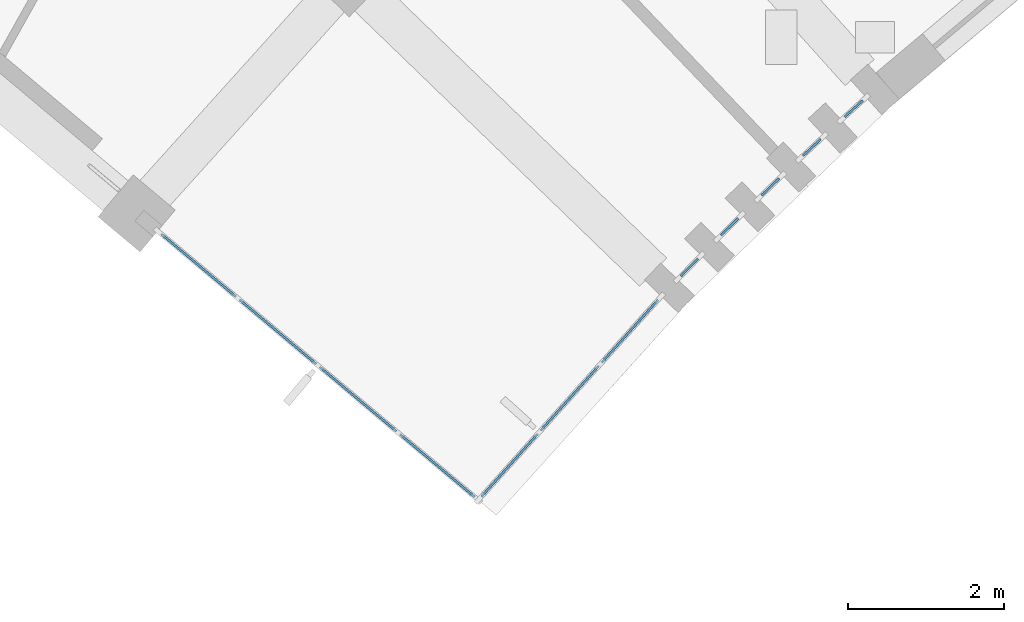
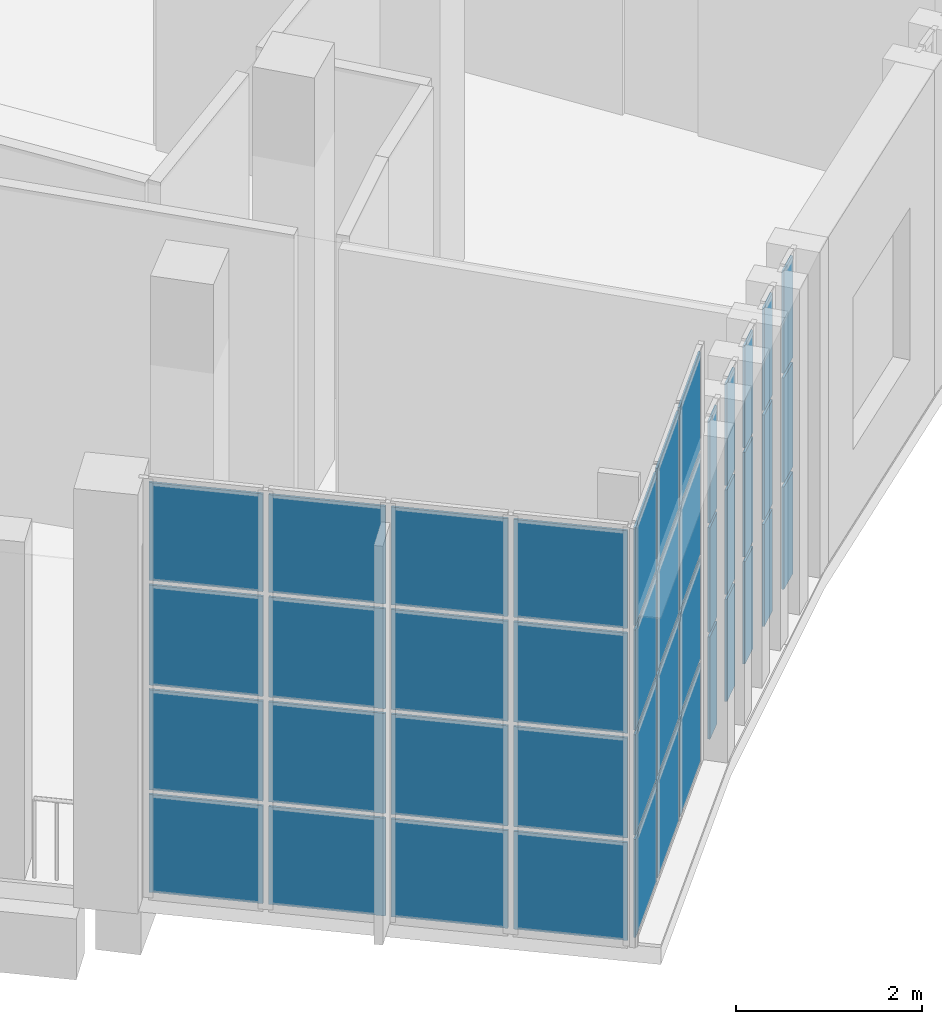
# One storey, part 38 of 112: 43 plates, 7 elements without a shape of their own.
"""IFC4 building model written with IfcOpenShell, lengths in metres."""

from ifc_helpers import new_model, si_unit, direction, frame, origin, origin_2d, place, context, subcontext, project, spatial, rectangle, extrude, material, layer, layer_set, type_object, element, aggregate, save


model = new_model("IFC4")

# Units and contexts
model_context = context("Model", 3, precision=1e-05, world=origin(), true_north=direction((0.0, 1.0)))
body_context = subcontext(model_context, "Body", "Model", "MODEL_VIEW")
ifc_project = project(units=[si_unit("LENGTHUNIT", "METRE"), si_unit("AREAUNIT", "SQUARE_METRE"), si_unit("VOLUMEUNIT", "CUBIC_METRE"), si_unit("PLANEANGLEUNIT", "RADIAN"), si_unit("MASSUNIT", "GRAM", prefix="KILO")], contexts=[model_context])

# Site, building, storey
site_placement = place(None, origin())
site = spatial("IfcSite", under=ifc_project, at=site_placement, CompositionType="ELEMENT")
building_placement = place(site_placement, origin())
building = spatial("IfcBuilding", under=site, at=building_placement, Name="Lunette Opera House", CompositionType="ELEMENT")
storey_placement = place(building_placement, frame((0.0, 0.0, 6.0)))
storey = spatial("IfcBuildingStorey", under=building, at=storey_placement, Name="L01", CompositionType="ELEMENT", Elevation=6.0)

# Curtain wall, plates
ifc_material_1 = material(Name="Aluminium", Category="aluminium")
ifc_layer_1 = layer(ifc_material_1, 0.1201171875)
ifc_layer_set_1 = layer_set([ifc_layer_1], Name="Aluminium")
curtain_wall_type_1 = type_object("IfcCurtainWallType", Name="SLOT CURTAIN WALL", PredefinedType="NOTDEFINED", material=ifc_layer_set_1)
curtain_wall_1_placement = place(storey_placement, origin())
curtain_wall_1 = element("IfcCurtainWall", 1, at=curtain_wall_1_placement, inside=storey, type_object=curtain_wall_type_1, Name="Slot Curtain Wall CS001 L01", PredefinedType="NOTDEFINED")
ifc_material_2 = material(Name="Laminated glass", Category="glass")
ifc_layer_2 = layer(ifc_material_2, 0.028076171875)
ifc_layer_set_2 = layer_set([ifc_layer_2], Name="Laminated glass")
plate_type = type_object("IfcPlateType", Name="CURTAIN PANEL LAMINATED GLASS 28", PredefinedType="CURTAIN_PANEL", material=ifc_layer_set_2)
plate_1_placement = place(storey_placement, frame((58.633544921875, 36.592041015625, 0.06005859375), z_axis=(0.0, 0.0, 1.0), x_axis=(0.698932947796, 0.715187202406, 0.0)))
plate_1 = element("IfcPlate", 2, at=plate_1_placement, type_object=plate_type, Name="FC-X2002 panel 1.1", PredefinedType="CURTAIN_PANEL", context=body_context, shape_type="SweptSolid", body=[
    extrude(rectangle(XDim=0.310546875, YDim=0.028076171875, at=origin_2d()), origin(), (0.0, 0.0, 1.0), 1.343017578125),
])
plate_2_placement = place(storey_placement, frame((58.633544921875, 36.592041015625, 1.462890625), z_axis=(0.0, 0.0, 1.0), x_axis=(0.698932947796, 0.715187202406, 0.0)))
plate_2 = element("IfcPlate", 3, at=plate_2_placement, type_object=plate_type, Name="FC-X2002 panel 1.2", PredefinedType="CURTAIN_PANEL", context=body_context, shape_type="SweptSolid", body=[
    extrude(rectangle(XDim=0.310546875, YDim=0.028076171875, at=origin_2d()), origin(), (0.0, 0.0, 1.0), 1.3740234375),
])
plate_3_placement = place(storey_placement, frame((58.633544921875, 36.592041015625, 2.89697265625), z_axis=(0.0, 0.0, 1.0), x_axis=(0.698932947796, 0.715187202406, 0.0)))
plate_3 = element("IfcPlate", 4, at=plate_3_placement, type_object=plate_type, Name="FC-X2002 panel 1.3", PredefinedType="CURTAIN_PANEL", context=body_context, shape_type="SweptSolid", body=[
    extrude(rectangle(XDim=0.310546875, YDim=0.028076171875, at=origin_2d()), origin(), (0.0, 0.0, 1.0), 1.343017578125),
])
aggregate(curtain_wall_1, [plate_1, plate_2, plate_3])

curtain_wall_2_placement = place(storey_placement, origin())
curtain_wall_2 = element("IfcCurtainWall", 5, at=curtain_wall_2_placement, inside=storey, type_object=curtain_wall_type_1, Name="Slot Curtain Wall CS002 L01", PredefinedType="NOTDEFINED")
plate_4_placement = place(storey_placement, frame((59.14794921875, 37.110595703125, 0.06005859375), z_axis=(0.0, 0.0, 1.0), x_axis=(0.710581444194, 0.703614959454, 0.0)))
plate_4 = element("IfcPlate", 6, at=plate_4_placement, type_object=plate_type, Name="FC-X2004 panel 1.1", PredefinedType="CURTAIN_PANEL", context=body_context, shape_type="SweptSolid", body=[
    extrude(rectangle(XDim=0.310546875, YDim=0.028076171875, at=origin_2d()), origin(), (0.0, 0.0, 1.0), 1.343017578125),
])
plate_5_placement = place(storey_placement, frame((59.14794921875, 37.110595703125, 1.462890625), z_axis=(0.0, 0.0, 1.0), x_axis=(0.710581444194, 0.703614959454, 0.0)))
plate_5 = element("IfcPlate", 7, at=plate_5_placement, type_object=plate_type, Name="FC-X2004 panel 1.2", PredefinedType="CURTAIN_PANEL", context=body_context, shape_type="SweptSolid", body=[
    extrude(rectangle(XDim=0.310546875, YDim=0.028076171875, at=origin_2d()), origin(), (0.0, 0.0, 1.0), 1.3740234375),
])
plate_6_placement = place(storey_placement, frame((59.14794921875, 37.110595703125, 2.89697265625), z_axis=(0.0, 0.0, 1.0), x_axis=(0.710581444194, 0.703614959454, 0.0)))
plate_6 = element("IfcPlate", 8, at=plate_6_placement, type_object=plate_type, Name="FC-X2004 panel 1.3", PredefinedType="CURTAIN_PANEL", context=body_context, shape_type="SweptSolid", body=[
    extrude(rectangle(XDim=0.310546875, YDim=0.028076171875, at=origin_2d()), origin(), (0.0, 0.0, 1.0), 1.343017578125),
])
aggregate(curtain_wall_2, [plate_4, plate_5, plate_6])

curtain_wall_3_placement = place(storey_placement, origin())
curtain_wall_3 = element("IfcCurtainWall", 9, at=curtain_wall_3_placement, inside=storey, type_object=curtain_wall_type_1, Name="Slot Curtain Wall CS003 L01", PredefinedType="NOTDEFINED")
plate_7_placement = place(storey_placement, frame((59.66943359375, 37.62158203125, 0.06005859375), z_axis=(0.0, 0.0, 1.0), x_axis=(0.718639631775, 0.695382685751, 0.0)))
plate_7 = element("IfcPlate", 10, at=plate_7_placement, type_object=plate_type, Name="FC-X2006 panel 1.1", PredefinedType="CURTAIN_PANEL", context=body_context, shape_type="SweptSolid", body=[
    extrude(rectangle(XDim=0.31005859375, YDim=0.028076171875, at=origin_2d()), origin(), (0.0, 0.0, 1.0), 1.343017578125),
])
plate_8_placement = place(storey_placement, frame((59.66943359375, 37.62158203125, 1.462890625), z_axis=(0.0, 0.0, 1.0), x_axis=(0.718639631775, 0.695382685751, 0.0)))
plate_8 = element("IfcPlate", 11, at=plate_8_placement, type_object=plate_type, Name="FC-X2006 panel 1.2", PredefinedType="CURTAIN_PANEL", context=body_context, shape_type="SweptSolid", body=[
    extrude(rectangle(XDim=0.31005859375, YDim=0.028076171875, at=origin_2d()), origin(), (0.0, 0.0, 1.0), 1.3740234375),
])
plate_9_placement = place(storey_placement, frame((59.66943359375, 37.62158203125, 2.89697265625), z_axis=(0.0, 0.0, 1.0), x_axis=(0.718639631775, 0.695382685751, 0.0)))
plate_9 = element("IfcPlate", 12, at=plate_9_placement, type_object=plate_type, Name="FC-X2006 panel 1.3", PredefinedType="CURTAIN_PANEL", context=body_context, shape_type="SweptSolid", body=[
    extrude(rectangle(XDim=0.31005859375, YDim=0.028076171875, at=origin_2d()), origin(), (0.0, 0.0, 1.0), 1.343017578125),
])
aggregate(curtain_wall_3, [plate_7, plate_8, plate_9])

curtain_wall_4_placement = place(storey_placement, origin())
curtain_wall_4 = element("IfcCurtainWall", 13, at=curtain_wall_4_placement, inside=storey, type_object=curtain_wall_type_1, Name="Slot Curtain Wall CS004 L01", PredefinedType="NOTDEFINED")
plate_10_placement = place(storey_placement, frame((60.198486328125, 38.12451171875, 0.06005859375), z_axis=(0.0, 0.0, 1.0), x_axis=(0.727722019527, 0.685872190933, 0.0)))
plate_10 = element("IfcPlate", 14, at=plate_10_placement, type_object=plate_type, Name="FC-X2008 panel 1.1", PredefinedType="CURTAIN_PANEL", context=body_context, shape_type="SweptSolid", body=[
    extrude(rectangle(XDim=0.31005859375, YDim=0.028076171875, at=origin_2d()), origin(), (0.0, 0.0, 1.0), 1.343017578125),
])
plate_11_placement = place(storey_placement, frame((60.198486328125, 38.12451171875, 1.462890625), z_axis=(0.0, 0.0, 1.0), x_axis=(0.727722019527, 0.685872190933, 0.0)))
plate_11 = element("IfcPlate", 15, at=plate_11_placement, type_object=plate_type, Name="FC-X2008 panel 1.2", PredefinedType="CURTAIN_PANEL", context=body_context, shape_type="SweptSolid", body=[
    extrude(rectangle(XDim=0.31005859375, YDim=0.028076171875, at=origin_2d()), origin(), (0.0, 0.0, 1.0), 1.3740234375),
])
plate_12_placement = place(storey_placement, frame((60.198486328125, 38.12451171875, 2.89697265625), z_axis=(0.0, 0.0, 1.0), x_axis=(0.727722019527, 0.685872190933, 0.0)))
plate_12 = element("IfcPlate", 16, at=plate_12_placement, type_object=plate_type, Name="FC-X2008 panel 1.3", PredefinedType="CURTAIN_PANEL", context=body_context, shape_type="SweptSolid", body=[
    extrude(rectangle(XDim=0.31005859375, YDim=0.028076171875, at=origin_2d()), origin(), (0.0, 0.0, 1.0), 1.343017578125),
])
aggregate(curtain_wall_4, [plate_10, plate_11, plate_12])

curtain_wall_5_placement = place(storey_placement, origin())
curtain_wall_5 = element("IfcCurtainWall", 17, at=curtain_wall_5_placement, inside=storey, type_object=curtain_wall_type_1, Name="Slot Curtain Wall CS005 L01", PredefinedType="NOTDEFINED")
plate_13_placement = place(storey_placement, frame((60.73388671875, 38.62109375, 0.06005859375), z_axis=(0.0, 0.0, 1.0), x_axis=(0.738887791071, 0.673828488716, 0.0)))
plate_13 = element("IfcPlate", 18, at=plate_13_placement, type_object=plate_type, Name="FC-X2010 panel 1.1", PredefinedType="CURTAIN_PANEL", context=body_context, shape_type="SweptSolid", body=[
    extrude(rectangle(XDim=0.310302734375, YDim=0.028076171875, at=origin_2d()), origin(), (0.0, 0.0, 1.0), 1.343017578125),
])
plate_14_placement = place(storey_placement, frame((60.73388671875, 38.62109375, 1.462890625), z_axis=(0.0, 0.0, 1.0), x_axis=(0.738887791071, 0.673828488716, 0.0)))
plate_14 = element("IfcPlate", 19, at=plate_14_placement, type_object=plate_type, Name="FC-X2010 panel 1.2", PredefinedType="CURTAIN_PANEL", context=body_context, shape_type="SweptSolid", body=[
    extrude(rectangle(XDim=0.310302734375, YDim=0.028076171875, at=origin_2d()), origin(), (0.0, 0.0, 1.0), 1.3740234375),
])
plate_15_placement = place(storey_placement, frame((60.73388671875, 38.62109375, 2.89697265625), z_axis=(0.0, 0.0, 1.0), x_axis=(0.738887791071, 0.673828488716, 0.0)))
plate_15 = element("IfcPlate", 20, at=plate_15_placement, type_object=plate_type, Name="FC-X2010 panel 1.3", PredefinedType="CURTAIN_PANEL", context=body_context, shape_type="SweptSolid", body=[
    extrude(rectangle(XDim=0.310302734375, YDim=0.028076171875, at=origin_2d()), origin(), (0.0, 0.0, 1.0), 1.343017578125),
])
aggregate(curtain_wall_5, [plate_13, plate_14, plate_15])

ifc_material_3 = material(Name="Aluminium", Category="aluminium")
ifc_layer_3 = layer(ifc_material_3, 0.159912109375)
ifc_layer_set_3 = layer_set([ifc_layer_3], Name="Aluminium")
curtain_wall_type_2 = type_object("IfcCurtainWallType", Name="CORNER CURTAIN WALL", PredefinedType="NOTDEFINED", material=ifc_layer_set_3)
curtain_wall_6_placement = place(storey_placement, origin())
curtain_wall_6 = element("IfcCurtainWall", 21, at=curtain_wall_6_placement, inside=storey, type_object=curtain_wall_type_2, Name="Corner Curtain Wall GC-W1 L01", PredefinedType="NOTDEFINED")
plate_16_placement = place(storey_placement, frame((57.874267578125, 35.777587890625, 0.06005859375), z_axis=(0.0, 0.0, 1.0), x_axis=(-0.667938143615, -0.744216793887, 0.0)))
plate_16 = element("IfcPlate", 22, at=plate_16_placement, type_object=plate_type, Name="FC-X2163 panel 1.1", PredefinedType="CURTAIN_PANEL", context=body_context, shape_type="SweptSolid", body=[
    extrude(rectangle(XDim=1.07666015625, YDim=0.028076171875, at=origin_2d()), origin(), (0.0, 0.0, 1.0), 1.284912109375),
])
plate_17_placement = place(storey_placement, frame((57.874267578125, 35.777587890625, 1.405029296875), z_axis=(0.0, 0.0, 1.0), x_axis=(-0.667938143615, -0.744216793887, 0.0)))
plate_17 = element("IfcPlate", 23, at=plate_17_placement, type_object=plate_type, Name="FC-X2163 panel 1.2", PredefinedType="CURTAIN_PANEL", context=body_context, shape_type="SweptSolid", body=[
    extrude(rectangle(XDim=1.07666015625, YDim=0.028076171875, at=origin_2d()), origin(), (0.0, 0.0, 1.0), 1.31494140625),
])
plate_18_placement = place(storey_placement, frame((57.874267578125, 35.777587890625, 2.780029296875), z_axis=(0.0, 0.0, 1.0), x_axis=(-0.667938143615, -0.744216793887, 0.0)))
plate_18 = element("IfcPlate", 24, at=plate_18_placement, type_object=plate_type, Name="FC-X2163 panel 1.3", PredefinedType="CURTAIN_PANEL", context=body_context, shape_type="SweptSolid", body=[
    extrude(rectangle(XDim=1.07666015625, YDim=0.028076171875, at=origin_2d()), origin(), (0.0, 0.0, 1.0), 1.31494140625),
])
plate_19_placement = place(storey_placement, frame((57.874267578125, 35.777587890625, 4.1552734375), z_axis=(0.0, 0.0, 1.0), x_axis=(-0.667938143615, -0.744216793887, 0.0)))
plate_19 = element("IfcPlate", 25, at=plate_19_placement, type_object=plate_type, Name="FC-X2163 panel 1.4", PredefinedType="CURTAIN_PANEL", context=body_context, shape_type="SweptSolid", body=[
    extrude(rectangle(XDim=1.07666015625, YDim=0.028076171875, at=origin_2d()), origin(), (0.0, 0.0, 1.0), 1.284912109375),
])
plate_20_placement = place(storey_placement, frame((57.10498046875, 34.92041015625, 0.06005859375), z_axis=(0.0, 0.0, 1.0), x_axis=(-0.667938143615, -0.744216793887, 0.0)))
plate_20 = element("IfcPlate", 26, at=plate_20_placement, type_object=plate_type, Name="FC-X2163 panel 2.1", PredefinedType="CURTAIN_PANEL", context=body_context, shape_type="SweptSolid", body=[
    extrude(rectangle(XDim=1.106689453125, YDim=0.028076171875, at=origin_2d()), origin(), (0.0, 0.0, 1.0), 1.284912109375),
])
plate_21_placement = place(storey_placement, frame((57.10498046875, 34.92041015625, 1.405029296875), z_axis=(0.0, 0.0, 1.0), x_axis=(-0.667938143615, -0.744216793887, 0.0)))
plate_21 = element("IfcPlate", 27, at=plate_21_placement, type_object=plate_type, Name="FC-X2163 panel 2.2", PredefinedType="CURTAIN_PANEL", context=body_context, shape_type="SweptSolid", body=[
    extrude(rectangle(XDim=1.106689453125, YDim=0.028076171875, at=origin_2d()), origin(), (0.0, 0.0, 1.0), 1.31494140625),
])
plate_22_placement = place(storey_placement, frame((57.10498046875, 34.92041015625, 2.780029296875), z_axis=(0.0, 0.0, 1.0), x_axis=(-0.667938143615, -0.744216793887, 0.0)))
plate_22 = element("IfcPlate", 28, at=plate_22_placement, type_object=plate_type, Name="FC-X2163 panel 2.3", PredefinedType="CURTAIN_PANEL", context=body_context, shape_type="SweptSolid", body=[
    extrude(rectangle(XDim=1.106689453125, YDim=0.028076171875, at=origin_2d()), origin(), (0.0, 0.0, 1.0), 1.31494140625),
])
plate_23_placement = place(storey_placement, frame((57.10498046875, 34.92041015625, 4.1552734375), z_axis=(0.0, 0.0, 1.0), x_axis=(-0.667938143615, -0.744216793887, 0.0)))
plate_23 = element("IfcPlate", 29, at=plate_23_placement, type_object=plate_type, Name="FC-X2163 panel 2.4", PredefinedType="CURTAIN_PANEL", context=body_context, shape_type="SweptSolid", body=[
    extrude(rectangle(XDim=1.106689453125, YDim=0.028076171875, at=origin_2d()), origin(), (0.0, 0.0, 1.0), 1.284912109375),
])
plate_24_placement = place(storey_placement, frame((56.335693359375, 34.063232421875, 0.06005859375), z_axis=(0.0, 0.0, 1.0), x_axis=(-0.667938143615, -0.744216793887, 0.0)))
plate_24 = element("IfcPlate", 30, at=plate_24_placement, type_object=plate_type, Name="FC-X2163 panel 3.1", PredefinedType="CURTAIN_PANEL", context=body_context, shape_type="SweptSolid", body=[
    extrude(rectangle(XDim=1.07666015625, YDim=0.028076171875, at=origin_2d()), origin(), (0.0, 0.0, 1.0), 1.284912109375),
])
plate_25_placement = place(storey_placement, frame((56.335693359375, 34.063232421875, 1.405029296875), z_axis=(0.0, 0.0, 1.0), x_axis=(-0.667938143615, -0.744216793887, 0.0)))
plate_25 = element("IfcPlate", 31, at=plate_25_placement, type_object=plate_type, Name="FC-X2163 panel 3.2", PredefinedType="CURTAIN_PANEL", context=body_context, shape_type="SweptSolid", body=[
    extrude(rectangle(XDim=1.07666015625, YDim=0.028076171875, at=origin_2d()), origin(), (0.0, 0.0, 1.0), 1.31494140625),
])
plate_26_placement = place(storey_placement, frame((56.335693359375, 34.063232421875, 2.780029296875), z_axis=(0.0, 0.0, 1.0), x_axis=(-0.667938143615, -0.744216793887, 0.0)))
plate_26 = element("IfcPlate", 32, at=plate_26_placement, type_object=plate_type, Name="FC-X2163 panel 3.3", PredefinedType="CURTAIN_PANEL", context=body_context, shape_type="SweptSolid", body=[
    extrude(rectangle(XDim=1.07666015625, YDim=0.028076171875, at=origin_2d()), origin(), (0.0, 0.0, 1.0), 1.31494140625),
])
plate_27_placement = place(storey_placement, frame((56.335693359375, 34.063232421875, 4.1552734375), z_axis=(0.0, 0.0, 1.0), x_axis=(-0.667938143615, -0.744216793887, 0.0)))
plate_27 = element("IfcPlate", 33, at=plate_27_placement, type_object=plate_type, Name="FC-X2163 panel 3.4", PredefinedType="CURTAIN_PANEL", context=body_context, shape_type="SweptSolid", body=[
    extrude(rectangle(XDim=1.07666015625, YDim=0.028076171875, at=origin_2d()), origin(), (0.0, 0.0, 1.0), 1.284912109375),
])
aggregate(curtain_wall_6, [plate_16, plate_17, plate_18, plate_19, plate_20, plate_21, plate_22, plate_23, plate_24, plate_25, plate_26, plate_27])

curtain_wall_7_placement = place(storey_placement, origin())
curtain_wall_7 = element("IfcCurtainWall", 34, at=curtain_wall_7_placement, inside=storey, type_object=curtain_wall_type_2, Name="Corner Curtain Wall GC-W2 L01", PredefinedType="NOTDEFINED")
plate_28_placement = place(storey_placement, frame((55.412353515625, 34.0576171875, 0.06005859375), z_axis=(0.0, 0.0, 1.0), x_axis=(-0.766010413212, 0.64282816277, 0.0)))
plate_28 = element("IfcPlate", 35, at=plate_28_placement, type_object=plate_type, Name="FC-X2164 panel 1.1", PredefinedType="CURTAIN_PANEL", context=body_context, shape_type="SweptSolid", body=[
    extrude(rectangle(XDim=1.24755859375, YDim=0.028076171875, at=origin_2d()), origin(), (0.0, 0.0, 1.0), 1.284912109375),
])
plate_29_placement = place(storey_placement, frame((55.412353515625, 34.0576171875, 1.405029296875), z_axis=(0.0, 0.0, 1.0), x_axis=(-0.766010413212, 0.64282816277, 0.0)))
plate_29 = element("IfcPlate", 36, at=plate_29_placement, type_object=plate_type, Name="FC-X2164 panel 1.2", PredefinedType="CURTAIN_PANEL", context=body_context, shape_type="SweptSolid", body=[
    extrude(rectangle(XDim=1.24755859375, YDim=0.028076171875, at=origin_2d()), origin(), (0.0, 0.0, 1.0), 1.31494140625),
])
plate_30_placement = place(storey_placement, frame((55.412353515625, 34.0576171875, 2.780029296875), z_axis=(0.0, 0.0, 1.0), x_axis=(-0.766010413212, 0.64282816277, 0.0)))
plate_30 = element("IfcPlate", 37, at=plate_30_placement, type_object=plate_type, Name="FC-X2164 panel 1.3", PredefinedType="CURTAIN_PANEL", context=body_context, shape_type="SweptSolid", body=[
    extrude(rectangle(XDim=1.24755859375, YDim=0.028076171875, at=origin_2d()), origin(), (0.0, 0.0, 1.0), 1.31494140625),
])
plate_31_placement = place(storey_placement, frame((55.412353515625, 34.0576171875, 4.1552734375), z_axis=(0.0, 0.0, 1.0), x_axis=(-0.766010413212, 0.64282816277, 0.0)))
plate_31 = element("IfcPlate", 38, at=plate_31_placement, type_object=plate_type, Name="FC-X2164 panel 1.4", PredefinedType="CURTAIN_PANEL", context=body_context, shape_type="SweptSolid", body=[
    extrude(rectangle(XDim=1.24755859375, YDim=0.028076171875, at=origin_2d()), origin(), (0.0, 0.0, 1.0), 1.284912109375),
])
plate_32_placement = place(storey_placement, frame((54.399169921875, 34.90771484375, 0.06005859375), z_axis=(0.0, 0.0, 1.0), x_axis=(-0.766010413212, 0.64282816277, 0.0)))
plate_32 = element("IfcPlate", 39, at=plate_32_placement, type_object=plate_type, Name="FC-X2164 panel 2.1", PredefinedType="CURTAIN_PANEL", context=body_context, shape_type="SweptSolid", body=[
    extrude(rectangle(XDim=1.27734375, YDim=0.028076171875, at=origin_2d()), origin(), (0.0, 0.0, 1.0), 1.284912109375),
])
plate_33_placement = place(storey_placement, frame((54.399169921875, 34.90771484375, 1.405029296875), z_axis=(0.0, 0.0, 1.0), x_axis=(-0.766010413212, 0.64282816277, 0.0)))
plate_33 = element("IfcPlate", 40, at=plate_33_placement, type_object=plate_type, Name="FC-X2164 panel 2.2", PredefinedType="CURTAIN_PANEL", context=body_context, shape_type="SweptSolid", body=[
    extrude(rectangle(XDim=1.27734375, YDim=0.028076171875, at=origin_2d()), origin(), (0.0, 0.0, 1.0), 1.31494140625),
])
plate_34_placement = place(storey_placement, frame((54.399169921875, 34.90771484375, 2.780029296875), z_axis=(0.0, 0.0, 1.0), x_axis=(-0.766010413212, 0.64282816277, 0.0)))
plate_34 = element("IfcPlate", 41, at=plate_34_placement, type_object=plate_type, Name="FC-X2164 panel 2.3", PredefinedType="CURTAIN_PANEL", context=body_context, shape_type="SweptSolid", body=[
    extrude(rectangle(XDim=1.27734375, YDim=0.028076171875, at=origin_2d()), origin(), (0.0, 0.0, 1.0), 1.31494140625),
])
plate_35_placement = place(storey_placement, frame((54.399169921875, 34.90771484375, 4.1552734375), z_axis=(0.0, 0.0, 1.0), x_axis=(-0.766010413212, 0.64282816277, 0.0)))
plate_35 = element("IfcPlate", 42, at=plate_35_placement, type_object=plate_type, Name="FC-X2164 panel 2.4", PredefinedType="CURTAIN_PANEL", context=body_context, shape_type="SweptSolid", body=[
    extrude(rectangle(XDim=1.27734375, YDim=0.028076171875, at=origin_2d()), origin(), (0.0, 0.0, 1.0), 1.284912109375),
])
plate_36_placement = place(storey_placement, frame((53.374755859375, 35.767333984375, 0.06005859375), z_axis=(0.0, 0.0, 1.0), x_axis=(-0.766010413212, 0.64282816277, 0.0)))
plate_36 = element("IfcPlate", 43, at=plate_36_placement, type_object=plate_type, Name="FC-X2164 panel 3.1", PredefinedType="CURTAIN_PANEL", context=body_context, shape_type="SweptSolid", body=[
    extrude(rectangle(XDim=1.27734375, YDim=0.028076171875, at=origin_2d()), origin(), (0.0, 0.0, 1.0), 1.284912109375),
])
plate_37_placement = place(storey_placement, frame((53.374755859375, 35.767333984375, 1.405029296875), z_axis=(0.0, 0.0, 1.0), x_axis=(-0.766010413212, 0.64282816277, 0.0)))
plate_37 = element("IfcPlate", 44, at=plate_37_placement, type_object=plate_type, Name="FC-X2164 panel 3.2", PredefinedType="CURTAIN_PANEL", context=body_context, shape_type="SweptSolid", body=[
    extrude(rectangle(XDim=1.27734375, YDim=0.028076171875, at=origin_2d()), origin(), (0.0, 0.0, 1.0), 1.31494140625),
])
plate_38_placement = place(storey_placement, frame((53.374755859375, 35.767333984375, 2.780029296875), z_axis=(0.0, 0.0, 1.0), x_axis=(-0.766010413212, 0.64282816277, 0.0)))
plate_38 = element("IfcPlate", 45, at=plate_38_placement, type_object=plate_type, Name="FC-X2164 panel 3.3", PredefinedType="CURTAIN_PANEL", context=body_context, shape_type="SweptSolid", body=[
    extrude(rectangle(XDim=1.27734375, YDim=0.028076171875, at=origin_2d()), origin(), (0.0, 0.0, 1.0), 1.31494140625),
])
plate_39_placement = place(storey_placement, frame((53.374755859375, 35.767333984375, 4.1552734375), z_axis=(0.0, 0.0, 1.0), x_axis=(-0.766010413212, 0.64282816277, 0.0)))
plate_39 = element("IfcPlate", 46, at=plate_39_placement, type_object=plate_type, Name="FC-X2164 panel 3.4", PredefinedType="CURTAIN_PANEL", context=body_context, shape_type="SweptSolid", body=[
    extrude(rectangle(XDim=1.27734375, YDim=0.028076171875, at=origin_2d()), origin(), (0.0, 0.0, 1.0), 1.284912109375),
])
plate_40_placement = place(storey_placement, frame((52.36181640625, 36.617431640625, 0.06005859375), z_axis=(0.0, 0.0, 1.0), x_axis=(-0.766010413212, 0.64282816277, 0.0)))
plate_40 = element("IfcPlate", 47, at=plate_40_placement, type_object=plate_type, Name="FC-X2164 panel 4.1", PredefinedType="CURTAIN_PANEL", context=body_context, shape_type="SweptSolid", body=[
    extrude(rectangle(XDim=1.24755859375, YDim=0.028076171875, at=origin_2d()), origin(), (0.0, 0.0, 1.0), 1.284912109375),
])
plate_41_placement = place(storey_placement, frame((52.36181640625, 36.617431640625, 1.405029296875), z_axis=(0.0, 0.0, 1.0), x_axis=(-0.766010413212, 0.64282816277, 0.0)))
plate_41 = element("IfcPlate", 48, at=plate_41_placement, type_object=plate_type, Name="FC-X2164 panel 4.2", PredefinedType="CURTAIN_PANEL", context=body_context, shape_type="SweptSolid", body=[
    extrude(rectangle(XDim=1.24755859375, YDim=0.028076171875, at=origin_2d()), origin(), (0.0, 0.0, 1.0), 1.31494140625),
])
plate_42_placement = place(storey_placement, frame((52.36181640625, 36.617431640625, 2.780029296875), z_axis=(0.0, 0.0, 1.0), x_axis=(-0.766010413212, 0.64282816277, 0.0)))
plate_42 = element("IfcPlate", 49, at=plate_42_placement, type_object=plate_type, Name="FC-X2164 panel 4.3", PredefinedType="CURTAIN_PANEL", context=body_context, shape_type="SweptSolid", body=[
    extrude(rectangle(XDim=1.24755859375, YDim=0.028076171875, at=origin_2d()), origin(), (0.0, 0.0, 1.0), 1.31494140625),
])
plate_43_placement = place(storey_placement, frame((52.36181640625, 36.617431640625, 4.1552734375), z_axis=(0.0, 0.0, 1.0), x_axis=(-0.766010413212, 0.64282816277, 0.0)))
plate_43 = element("IfcPlate", 50, at=plate_43_placement, type_object=plate_type, Name="FC-X2164 panel 4.4", PredefinedType="CURTAIN_PANEL", context=body_context, shape_type="SweptSolid", body=[
    extrude(rectangle(XDim=1.24755859375, YDim=0.028076171875, at=origin_2d()), origin(), (0.0, 0.0, 1.0), 1.284912109375),
])
aggregate(curtain_wall_7, [plate_28, plate_29, plate_30, plate_31, plate_32, plate_33, plate_34, plate_35, plate_36, plate_37, plate_38, plate_39, plate_40, plate_41, plate_42, plate_43])

save(model, "model.ifc")
